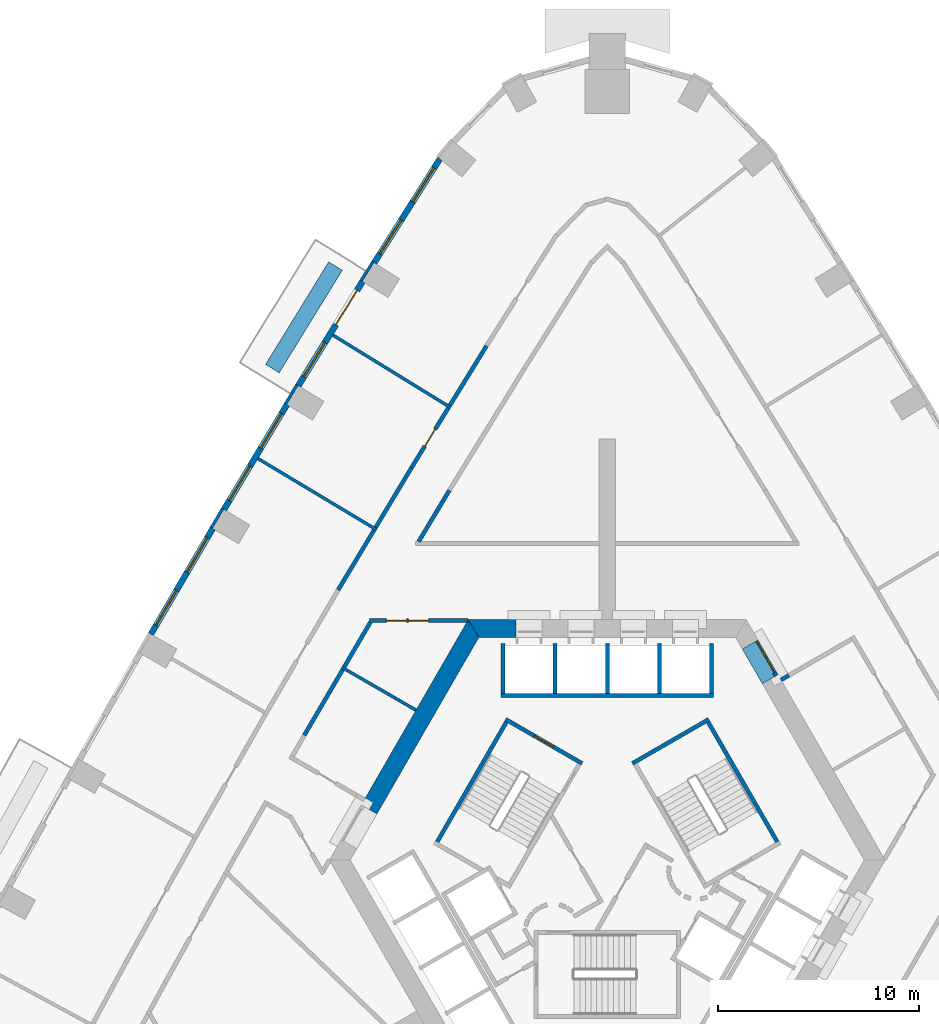
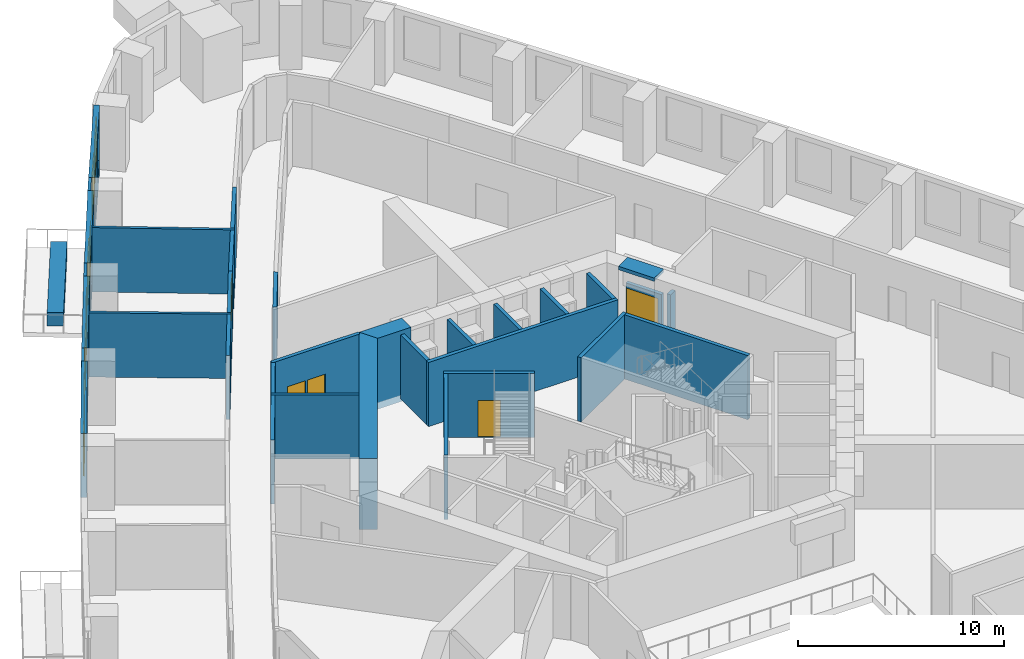
# One storey, part 9 of 15: 34 walls, 7 windows, 6 doors, 13 openings.
"""IFC4 building model written with IfcOpenShell, lengths in metres."""

from ifc_helpers import new_model, si_unit, direction, frame, frame_2d, origin, place, context, subcontext, project, spatial, polyline, rectangle, outline, extrude, material, layer, layer_set, type_object, element, fill, save


model = new_model("IFC4")

# Units and contexts
model_context = context("Model", 3, precision=1e-05, world=origin(), true_north=direction((0.0, 1.0)))
body_context = subcontext(model_context, "Body", "Model", "MODEL_VIEW")
ifc_project = project(units=[si_unit("LENGTHUNIT", "METRE"), si_unit("AREAUNIT", "SQUARE_METRE"), si_unit("VOLUMEUNIT", "CUBIC_METRE"), si_unit("PLANEANGLEUNIT", "RADIAN"), si_unit("MASSUNIT", "GRAM", prefix="KILO")], contexts=[model_context])

# Site, building, storey
site_placement = place(None, origin())
site = spatial("IfcSite", under=ifc_project, at=site_placement, CompositionType="ELEMENT")
building_placement = place(site_placement, origin())
building = spatial("IfcBuilding", under=site, at=building_placement, Name="Entoto Arch Interchange Tower", CompositionType="ELEMENT")
storey_placement = place(building_placement, frame((0.0, 0.0, 107.60009765625)))
storey = spatial("IfcBuildingStorey", under=building, at=storey_placement, Name="L23", CompositionType="ELEMENT", Elevation=107.60009765625)

# Wall, opening, door
ifc_material_1 = material(Name="Reinforced concrete C40/50", Category="concrete")
ifc_layer_1 = layer(ifc_material_1, 0.199951171875)
ifc_layer_set_1 = layer_set([ifc_layer_1], Name="Reinforced concrete C40/50")
wall_type_1 = type_object("IfcWallType", Name="CORE GAP INFILL WALL", PredefinedType="PARTITIONING", material=ifc_layer_set_1)
wall_1_placement = place(storey_placement, frame((8.429931640625, 11.697998046875, 0.0), z_axis=(0.0, 0.0, 1.0), x_axis=(-0.50002537861, 0.866010750942, 0.0)))
wall_1 = element("IfcWall", 1, at=wall_1_placement, inside=storey, type_object=wall_type_1, Name="wall:L23:gap2", PredefinedType="PARTITIONING", context=body_context, shape_type="SweptSolid", body=[
    extrude(rectangle(XDim=2.0, YDim=0.199951171875, at=frame_2d((1.0, 0.0))), origin(), (0.0, 0.0, 1.0), 2.39990234375),
])
opening_1_placement = place(wall_1_placement, frame((0.18994140625, 0.0, 0.0)))
opening_1 = element("IfcOpeningElement", 2, at=opening_1_placement, cuts=wall_1, Name="Opening L23-D92", PredefinedType="OPENING", context=body_context, shape_type="SweptSolid", body=[
    extrude(rectangle(XDim=1.800048828125, YDim=2.10009765625, at=frame_2d((0.89990234375, 1.050048828125))), frame((0.0, 0.10986328125, 0.0), z_axis=(0.0, -1.0, 0.0), x_axis=(1.0, 0.0, 0.0)), (0.0, 0.0, 1.0), 0.219970703125),
])
ifc_material_2 = material(Name="Fire-rated Steel S235 door and frame", Category="steel")
door_type_1 = type_object("IfcDoorType", Name="DOOR FD-18 1800x2100", OperationType="DOUBLE_DOOR_SINGLE_SWING", PredefinedType="DOOR", material=ifc_material_2)
door_1_placement = place(opening_1_placement, origin())
door_1 = element("IfcDoor", 3, at=door_1_placement, inside=storey, type_object=door_type_1, Name="door:L23:gap2", OperationType="DOUBLE_DOOR_SINGLE_SWING", OverallHeight=2.10009765625, OverallWidth=1.800048828125, PredefinedType="DOOR", context=body_context, shape_type="SweptSolid", body=[
    extrude(rectangle(XDim=1.800048828125, YDim=2.10009765625, at=frame_2d((0.89990234375, 1.050048828125))), frame((0.0, 0.02490234375, 0.0), z_axis=(0.0, -1.0, 0.0), x_axis=(1.0, 0.0, 0.0)), (0.0, 0.0, 1.0), 0.050048828125),
])
fill(opening_1, door_1)

# Walls
ifc_material_3 = material(Name="Concrete C60/75", Category="concrete")
ifc_layer_2 = layer(ifc_material_3, 0.89990234375)
ifc_layer_set_2 = layer_set([ifc_layer_2], Name="Concrete C60/75")
wall_type_2 = type_object("IfcWallType", Name="Core wall 900 C60/75", PredefinedType="SHEAR", material=ifc_layer_set_2)
wall_2_placement = place(storey_placement, frame((0.0, 0.0, 3.599853515625)))
element("IfcWall", 4, at=wall_2_placement, inside=storey, type_object=wall_type_2, Name="Core wall lintel NE L23", PredefinedType="SHEAR", context=body_context, shape_type="SweptSolid", body=[
    extrude(outline(polyline([(7.51708984375, 13.47998046875), (6.738037109375, 13.030029296875), (7.738037109375, 11.298095703125), (8.51708984375, 11.748046875), (7.51708984375, 13.47998046875)])), origin(), (0.0, 0.0, 1.0), 0.199951171875),
])
wall_3_placement = place(storey_placement, frame((0.0, 0.0, -0.400146484375)))
element("IfcWall", 5, at=wall_3_placement, inside=storey, type_object=wall_type_2, Name="Core wall N L23", PredefinedType="SHEAR", context=body_context, shape_type="SweptSolid", body=[
    extrude(outline(polyline([(-4.550048828125, 13.60009765625), (-4.550048828125, 14.5), (-6.927978515625, 14.5), (-6.408935546875, 13.60009765625), (-4.550048828125, 13.60009765625)])), origin(), (0.0, 0.0, 1.0), 4.199951171875),
])
wall_4_placement = place(storey_placement, frame((0.0, 0.0, -0.400146484375)))
element("IfcWall", 6, at=wall_4_placement, inside=storey, type_object=wall_type_2, Name="Core wall NW L23", PredefinedType="SHEAR", context=body_context, shape_type="SweptSolid", body=[
    extrude(outline(polyline([(-12.26708984375, 5.251953125), (-11.488037109375, 4.802001953125), (-6.408935546875, 13.60009765625), (-6.927978515625, 14.5), (-12.26708984375, 5.251953125)])), origin(), (0.0, 0.0, 1.0), 4.199951171875),
])
ifc_material_4 = material(Name="Concrete C40/50", Category="concrete")
ifc_layer_3 = layer(ifc_material_4, 0.199951171875)
ifc_layer_set_3 = layer_set([ifc_layer_3], Name="Concrete C40/50")
wall_type_3 = type_object("IfcWallType", Name="LIFT SHAFT WALL 200", PredefinedType="STANDARD", material=ifc_layer_set_3)
wall_5_placement = place(storey_placement, frame((5.300048828125, 10.699951171875, 0.0), z_axis=(0.0, 0.0, 1.0), x_axis=(-1.0, 0.0, 0.0)))
element("IfcWall", 7, at=wall_5_placement, inside=storey, type_object=wall_type_3, Name="Shaft wall N3 front", PredefinedType="STANDARD", context=body_context, shape_type="SweptSolid", body=[
    extrude(rectangle(XDim=10.60009765625, YDim=0.199951171875, at=frame_2d((5.300048828125, 0.0))), origin(), (0.0, 0.0, 1.0), 3.7998046875),
])
for number, where, z_axis, x_axis, name in (
    (8, (5.199951171875, 10.800048828125, 0.0), (0.0, 0.0, 1.0), (0.0, 1.0, 0.0), "Shaft wall N3 cross 1"),
    (9, (2.60009765625, 10.800048828125, 0.0), (0.0, 0.0, 1.0), (0.0, 1.0, 0.0), "Shaft wall N3 cross 2"),
    (10, (0.0, 10.800048828125, 0.0), (0.0, 0.0, 1.0), (0.0, 1.0, 0.0), "Shaft wall N3 cross 3"),
    (11, (-2.60009765625, 10.800048828125, 0.0), (0.0, 0.0, 1.0), (0.0, 1.0, 0.0), "Shaft wall N3 cross 4"),
    (12, (-5.199951171875, 10.800048828125, 0.0), (0.0, 0.0, 1.0), (0.0, 1.0, 0.0), "Shaft wall N3 cross 5"),
):
    element("IfcWall", number, at=place(storey_placement, frame(where, z_axis=z_axis, x_axis=x_axis)), inside=storey, type_object=wall_type_3, Name=name, PredefinedType="STANDARD", context=body_context, shape_type="SweptSolid", body=[
        extrude(rectangle(XDim=2.5, YDim=0.199951171875, at=frame_2d((1.25, 0.0))), origin(), (0.0, 0.0, 1.0), 3.7998046875),
    ])
ifc_material_5 = material(Name="Gypsum board partition on steel studs", Category="steel")
ifc_layer_4 = layer(ifc_material_5, 0.14990234375)
ifc_layer_set_4 = layer_set([ifc_layer_4], Name="Gypsum board partition on steel studs")
wall_type_4 = type_object("IfcWallType", Name="PARTITION 150", PredefinedType="PARTITIONING", material=ifc_layer_set_4)
wall_6_placement = place(storey_placement, frame((-9.537109375, 9.98095703125, 0.0), z_axis=(0.0, 0.0, 1.0), x_axis=(-0.866007866579, 0.5000303741, 0.0)))
element("IfcWall", 13, at=wall_6_placement, inside=storey, type_object=wall_type_4, Name="wall:L23:p095", PredefinedType="PARTITIONING", context=body_context, shape_type="SweptSolid", body=[
    extrude(rectangle(XDim=4.278076171875, YDim=0.14990234375, at=frame_2d((2.13916015625, 0.0))), origin(), (0.0, 0.0, 1.0), 3.7998046875),
])
wall_7_placement = place(storey_placement, frame((-7.802001953125, 25.06396484375, 0.0), z_axis=(0.0, 0.0, 1.0), x_axis=(-0.851596352662, 0.524198103901, 0.0)))
element("IfcWall", 14, at=wall_7_placement, inside=storey, type_object=wall_type_4, Name="wall:L23:p146", PredefinedType="PARTITIONING", context=body_context, shape_type="SweptSolid", body=[
    extrude(rectangle(XDim=6.89990234375, YDim=0.14990234375, at=frame_2d((3.449951171875, 0.0))), origin(), (0.0, 0.0, 1.0), 3.7998046875),
])
wall_8_placement = place(storey_placement, frame((-11.501953125, 18.97705078125, 0.0), z_axis=(0.0, 0.0, 1.0), x_axis=(-0.857464824073, 0.514542588595, 0.0)))
element("IfcWall", 15, at=wall_8_placement, inside=storey, type_object=wall_type_4, Name="wall:L23:p147", PredefinedType="PARTITIONING", context=body_context, shape_type="SweptSolid", body=[
    extrude(rectangle(XDim=6.8994140625, YDim=0.14990234375, at=frame_2d((3.44970703125, 0.0))), origin(), (0.0, 0.0, 1.0), 3.7998046875),
])
ifc_layer_5 = layer(ifc_material_5, 0.199951171875)
ifc_layer_set_5 = layer_set([ifc_layer_5], Name="Gypsum board partition on steel studs")
wall_type_5 = type_object("IfcWallType", Name="PARTITION 200", PredefinedType="PARTITIONING", material=ifc_layer_set_5)
wall_9_placement = place(storey_placement, frame((-11.81396484375, 14.364013671875, 0.0), z_axis=(0.0, 0.0, 1.0), x_axis=(-0.504658640018, -0.863318977583, 0.0)))
element("IfcWall", 16, at=wall_9_placement, inside=storey, type_object=wall_type_5, Name="wall:L23:p001", PredefinedType="PARTITIONING", context=body_context, shape_type="SweptSolid", body=[
    extrude(rectangle(XDim=2.581787109375, YDim=0.199951171875, at=frame_2d((1.291015625, 0.0))), origin(), (0.0, 0.0, 1.0), 3.7998046875),
])
wall_10_placement = place(storey_placement, frame((-13.193115234375, 12.0048828125, 0.0), z_axis=(0.0, 0.0, 1.0), x_axis=(-0.50499711829, -0.863121028894, 0.0)))
element("IfcWall", 17, at=wall_10_placement, inside=storey, type_object=wall_type_5, Name="wall:L23:p002", PredefinedType="PARTITIONING", context=body_context, shape_type="SweptSolid", body=[
    extrude(rectangle(XDim=3.7998046875, YDim=0.199951171875, at=frame_2d((1.89990234375, 0.0))), origin(), (0.0, 0.0, 1.0), 3.7998046875),
])
wall_11_placement = place(storey_placement, frame((-7.875, 20.93994140625, 0.0), z_axis=(0.0, 0.0, 1.0), x_axis=(-0.514399309837, -0.857550785691, 0.0)))
element("IfcWall", 18, at=wall_11_placement, inside=storey, type_object=wall_type_5, Name="wall:L23:p016", PredefinedType="PARTITIONING", context=body_context, shape_type="SweptSolid", body=[
    extrude(rectangle(XDim=2.978271484375, YDim=0.199951171875, at=frame_2d((1.4892578125, 0.0))), origin(), (0.0, 0.0, 1.0), 3.7998046875),
])
wall_12_placement = place(storey_placement, frame((-7.847900390625, 25.179931640625, 0.0), z_axis=(0.0, 0.0, 1.0), x_axis=(0.524062258075, 0.851679957297, 0.0)))
element("IfcWall", 19, at=wall_12_placement, inside=storey, type_object=wall_type_5, Name="wall:L23:p059", PredefinedType="PARTITIONING", context=body_context, shape_type="SweptSolid", body=[
    extrude(rectangle(XDim=3.486083984375, YDim=0.199951171875, at=frame_2d((1.7431640625, 0.0))), origin(), (0.0, 0.0, 1.0), 3.7998046875),
])
wall_13_placement = place(storey_placement, frame((-11.549072265625, 19.092041015625, 0.0), z_axis=(0.0, 0.0, 1.0), x_axis=(0.514536939864, 0.857468213705, 0.0)))
element("IfcWall", 20, at=wall_13_placement, inside=storey, type_object=wall_type_5, Name="wall:L23:p065", PredefinedType="PARTITIONING", context=body_context, shape_type="SweptSolid", body=[
    extrude(rectangle(XDim=3.487060546875, YDim=0.199951171875, at=frame_2d((1.74365234375, 0.0))), origin(), (0.0, 0.0, 1.0), 3.7998046875),
])

# Wall, opening, door
wall_14_placement = place(storey_placement, frame((-9.7548828125, 22.08203125, 0.0), z_axis=(0.0, 0.0, 1.0), x_axis=(0.524140390501, 0.851631875311, 0.0)))
wall_14 = element("IfcWall", 21, at=wall_14_placement, inside=storey, type_object=wall_type_5, Name="wall:L23:p066", PredefinedType="PARTITIONING", context=body_context, shape_type="SweptSolid", body=[
    extrude(rectangle(XDim=3.4873046875, YDim=0.199951171875, at=frame_2d((1.74365234375, 0.0))), origin(), (0.0, 0.0, 1.0), 3.7998046875),
])
opening_2_placement = place(wall_14_placement, frame((1.243896484375, 0.0, 0.0)))
opening_2 = element("IfcOpeningElement", 22, at=opening_2_placement, cuts=wall_14, Name="Opening L23-D11", PredefinedType="OPENING", context=body_context, shape_type="SweptSolid", body=[
    extrude(rectangle(XDim=1.0, YDim=2.10009765625, at=frame_2d((0.5, 1.050048828125))), frame((0.0, 0.10986328125, 0.0), z_axis=(0.0, -1.0, 0.0), x_axis=(1.0, 0.0, 0.0)), (0.0, 0.0, 1.0), 0.219970703125),
])
ifc_material_6 = material(Name="Timber door leaf in Steel S235 frame", Category="steel")
door_type_2 = type_object("IfcDoorType", Name="DOOR DS-10 1000x2100", OperationType="SINGLE_SWING_LEFT", PredefinedType="DOOR", material=ifc_material_6)
door_2_placement = place(opening_2_placement, origin())
door_2 = element("IfcDoor", 23, at=door_2_placement, inside=storey, type_object=door_type_2, Name="door:L23:11", OperationType="SINGLE_SWING_LEFT", OverallHeight=2.10009765625, OverallWidth=1.0, PredefinedType="DOOR", context=body_context, shape_type="SweptSolid", body=[
    extrude(rectangle(XDim=1.0, YDim=2.10009765625, at=frame_2d((0.5, 1.050048828125))), frame((0.0, 0.02490234375, 0.0), z_axis=(0.0, -1.0, 0.0), x_axis=(1.0, 0.0, 0.0)), (0.0, 0.0, 1.0), 0.050048828125),
])
fill(opening_2, door_2)

# Wall
wall_15_placement = place(storey_placement, frame((-13.4208984375, 15.97412109375, 0.0), z_axis=(0.0, 0.0, 1.0), x_axis=(0.514691349792, 0.857375538751, 0.0)))
element("IfcWall", 24, at=wall_15_placement, inside=storey, type_object=wall_type_5, Name="wall:L23:p068", PredefinedType="PARTITIONING", context=body_context, shape_type="SweptSolid", body=[
    extrude(rectangle(XDim=3.4873046875, YDim=0.199951171875, at=frame_2d((1.74365234375, 0.0))), origin(), (0.0, 0.0, 1.0), 3.7998046875),
])

# Wall, openings, doors
wall_16_placement = place(storey_placement, frame((-6.95703125, 14.449951171875, 0.0), z_axis=(0.0, 0.0, 1.0), x_axis=(-1.0, 0.0, 0.0)))
wall_16 = element("IfcWall", 25, at=wall_16_placement, inside=storey, type_object=wall_type_5, Name="wall:L23:p096", PredefinedType="PARTITIONING", context=body_context, shape_type="SweptSolid", body=[
    extrude(rectangle(XDim=4.906005859375, YDim=0.199951171875, at=frame_2d((2.453125, 0.0))), origin(), (0.0, 0.0, 1.0), 3.7998046875),
])
opening_3_placement = place(wall_16_placement, frame((1.952880859375, 0.0, 0.0)))
opening_3 = element("IfcOpeningElement", 26, at=opening_3_placement, cuts=wall_16, Name="Opening L23-D32", PredefinedType="OPENING", context=body_context, shape_type="SweptSolid", body=[
    extrude(rectangle(XDim=1.0, YDim=2.10009765625, at=frame_2d((0.5, 1.050048828125))), frame((0.0, 0.10986328125, 0.0), z_axis=(0.0, -1.0, 0.0), x_axis=(1.0, 0.0, 0.0)), (0.0, 0.0, 1.0), 0.219970703125),
])
opening_4_placement = place(wall_16_placement, frame((3.052978515625, 0.0, 0.0)))
opening_4 = element("IfcOpeningElement", 27, at=opening_4_placement, cuts=wall_16, Name="Opening L23-D40", PredefinedType="OPENING", context=body_context, shape_type="SweptSolid", body=[
    extrude(rectangle(XDim=1.0, YDim=2.10009765625, at=frame_2d((0.5, 1.050048828125))), frame((0.0, 0.10986328125, 0.0), z_axis=(0.0, -1.0, 0.0), x_axis=(1.0, 0.0, 0.0)), (0.0, 0.0, 1.0), 0.219970703125),
])
door_3_placement = place(opening_3_placement, origin())
door_3 = element("IfcDoor", 28, at=door_3_placement, inside=storey, type_object=door_type_2, Name="door:L23:32", OperationType="SINGLE_SWING_LEFT", OverallHeight=2.10009765625, OverallWidth=1.0, PredefinedType="DOOR", context=body_context, shape_type="SweptSolid", body=[
    extrude(rectangle(XDim=1.0, YDim=2.10009765625, at=frame_2d((0.5, 1.050048828125))), frame((0.0, 0.02490234375, 0.0), z_axis=(0.0, -1.0, 0.0), x_axis=(1.0, 0.0, 0.0)), (0.0, 0.0, 1.0), 0.050048828125),
])
fill(opening_3, door_3)
door_4_placement = place(opening_4_placement, origin())
door_4 = element("IfcDoor", 29, at=door_4_placement, inside=storey, type_object=door_type_2, Name="door:L23:40", OperationType="SINGLE_SWING_RIGHT", OverallHeight=2.10009765625, OverallWidth=1.0, PredefinedType="DOOR", context=body_context, shape_type="SweptSolid", body=[
    extrude(rectangle(XDim=1.0, YDim=2.10009765625, at=frame_2d((0.5, 1.050048828125))), frame((0.0, 0.02490234375, 0.0), z_axis=(0.0, -1.0, 0.0), x_axis=(1.0, 0.0, 0.0)), (0.0, 0.0, 1.0), 0.050048828125),
])
fill(opening_4, door_4)

# Walls
wall_17_placement = place(storey_placement, frame((9.056884765625, 11.712890625, 0.0), z_axis=(0.0, 0.0, 1.0), x_axis=(-0.866266849364, -0.49958157061, 0.0)))
element("IfcWall", 30, at=wall_17_placement, inside=storey, type_object=wall_type_5, Name="wall:L23:p008", PredefinedType="PARTITIONING", context=body_context, shape_type="SweptSolid", body=[
    extrude(rectangle(XDim=0.4501953125, YDim=0.199951171875, at=frame_2d((0.22509765625, 0.0))), origin(), (0.0, 0.0, 1.0), 2.39990234375),
])
ifc_material_7 = material(Name="Board-marked precast concrete C50/60", Category="concrete")
ifc_layer_6 = layer(ifc_material_7, 0.800048828125)
ifc_layer_set_6 = layer_set([ifc_layer_6], Name="Board-marked precast concrete C50/60")
wall_type_6 = type_object("IfcWallType", Name="PLANTER RC 800 Hagenia abyssinica", PredefinedType="STANDARD", material=ifc_layer_set_6)
wall_18_placement = place(storey_placement, frame((-13.552978515625, 32.1279296875, 0.0), z_axis=(0.0, 0.0, 1.0), x_axis=(-0.524156413099, -0.851622013928, 0.0)))
element("IfcWall", 31, at=wall_18_placement, inside=storey, type_object=wall_type_6, Name="Planter NW-02 L23", PredefinedType="STANDARD", context=body_context, shape_type="SweptSolid", body=[
    extrude(rectangle(XDim=6.00390625, YDim=0.800048828125, at=frame_2d((3.001953125, 0.0))), origin(), (0.0, 0.0, 1.0), 0.7998046875),
])
ifc_layer_7 = layer(ifc_material_4, 0.199951171875)
ifc_layer_set_7 = layer_set([ifc_layer_7], Name="Concrete C40/50")
wall_type_7 = type_object("IfcWallType", Name="STAIR ENCLOSURE WALL 200", PredefinedType="STANDARD", material=ifc_layer_set_7)
wall_19_placement = place(storey_placement, frame((1.256103515625, 7.323974609375, 0.0), z_axis=(0.0, 0.0, 1.0), x_axis=(0.866046073146, 0.499964197906, 0.0)))
element("IfcWall", 32, at=wall_19_placement, inside=storey, type_object=wall_type_7, Name="Stair wall ST-NE far", PredefinedType="STANDARD", context=body_context, shape_type="SweptSolid", body=[
    extrude(rectangle(XDim=4.400146484375, YDim=0.199951171875, at=frame_2d((2.2001953125, 0.0))), origin(), (0.0, 0.0, 1.0), 3.7998046875),
])
wall_20_placement = place(storey_placement, frame((8.47998046875, 3.412109375, 0.0), z_axis=(0.0, 0.0, 1.0), x_axis=(-0.499978703459, 0.866037698999, 0.0)))
element("IfcWall", 33, at=wall_20_placement, inside=storey, type_object=wall_type_7, Name="Stair wall ST-NE back", PredefinedType="STANDARD", context=body_context, shape_type="SweptSolid", body=[
    extrude(rectangle(XDim=6.900146484375, YDim=0.199951171875, at=frame_2d((3.4501953125, 0.0))), origin(), (0.0, 0.0, 1.0), 3.7998046875),
])

# Wall, opening, door
wall_21_placement = place(storey_placement, frame((-1.256103515625, 7.323974609375, 0.0), z_axis=(0.0, 0.0, 1.0), x_axis=(-0.866046073146, 0.499964197906, 0.0)))
wall_21 = element("IfcWall", 34, at=wall_21_placement, inside=storey, type_object=wall_type_7, Name="Stair wall ST-NW near", PredefinedType="STANDARD", context=body_context, shape_type="SweptSolid", body=[
    extrude(rectangle(XDim=4.400146484375, YDim=0.199951171875, at=frame_2d((2.2001953125, 0.0))), origin(), (0.0, 0.0, 1.0), 3.7998046875),
])
opening_5_placement = place(wall_21_placement, frame((1.64990234375, 0.0, 0.0)))
opening_5 = element("IfcOpeningElement", 35, at=opening_5_placement, cuts=wall_21, Name="Opening SD-ST-NW-L23-E", PredefinedType="OPENING", context=body_context, shape_type="SweptSolid", body=[
    extrude(rectangle(XDim=1.10009765625, YDim=2.199951171875, at=frame_2d((0.550048828125, 1.10009765625))), frame((0.0, 0.10986328125, 0.0), z_axis=(0.0, -1.0, 0.0), x_axis=(1.0, 0.0, 0.0)), (0.0, 0.0, 1.0), 0.219970703125),
])
ifc_material_8 = material(Name="Steel S235", Category="steel")
door_type_3 = type_object("IfcDoorType", Name="STAIR DOOR SD1 1100x2200", OperationType="SINGLE_SWING_LEFT", PredefinedType="DOOR", material=ifc_material_8)
door_5_placement = place(opening_5_placement, origin())
door_5 = element("IfcDoor", 36, at=door_5_placement, inside=storey, type_object=door_type_3, Name="Stair door ST-NW L23 end", OperationType="SINGLE_SWING_LEFT", OverallHeight=2.199951171875, OverallWidth=1.10009765625, PredefinedType="DOOR", context=body_context, shape_type="SweptSolid", body=[
    extrude(rectangle(XDim=1.10009765625, YDim=2.199951171875, at=frame_2d((0.550048828125, 1.10009765625))), frame((0.0, 0.02490234375, 0.0), z_axis=(0.0, -1.0, 0.0), x_axis=(1.0, 0.0, 0.0)), (0.0, 0.0, 1.0), 0.050048828125),
])
fill(opening_5, door_5)

# Wall
wall_22_placement = place(storey_placement, frame((-5.030029296875, 9.387939453125, 0.0), z_axis=(0.0, 0.0, 1.0), x_axis=(-0.499978703459, -0.866037698999, 0.0)))
element("IfcWall", 37, at=wall_22_placement, inside=storey, type_object=wall_type_7, Name="Stair wall ST-NW back", PredefinedType="STANDARD", context=body_context, shape_type="SweptSolid", body=[
    extrude(rectangle(XDim=6.900146484375, YDim=0.199951171875, at=frame_2d((3.4501953125, 0.0))), origin(), (0.0, 0.0, 1.0), 3.7998046875),
])

# Wall, openings, windows
ifc_material_9 = material(Name="Welded tuff (ignimbrite) cladding, warm buff", Category="masonry")
ifc_layer_8 = layer(ifc_material_9, 0.300048828125)
ifc_layer_set_8 = layer_set([ifc_layer_8], Name="Welded tuff (ignimbrite) cladding, warm buff")
wall_type_8 = type_object("IfcWallType", Name="STONE INFILL WALL 300", PredefinedType="STANDARD", material=ifc_layer_set_8)
wall_23_placement = place(storey_placement, frame((-8.347900390625, 37.47998046875, 0.0), z_axis=(0.0, 0.0, 1.0), x_axis=(-0.534018429465, -0.845472836342, 0.0)))
wall_23 = element("IfcWall", 38, at=wall_23_placement, inside=storey, type_object=wall_type_8, Name="Facade wall NW-01 L23", PredefinedType="STANDARD", context=body_context, shape_type="SweptSolid", body=[
    extrude(rectangle(XDim=6.138427734375, YDim=0.300048828125, at=frame_2d((3.0693359375, 0.0))), origin(), (0.0, 0.0, 1.0), 3.7998046875),
])
opening_6_placement = place(wall_23_placement, frame((0.534912109375, 0.0, 0.89990234375)))
opening_6 = element("IfcOpeningElement", 39, at=opening_6_placement, cuts=wall_23, Name="Opening WO-C", PredefinedType="OPENING", context=body_context, shape_type="SweptSolid", body=[
    extrude(rectangle(XDim=2.0, YDim=2.60009765625, at=frame_2d((1.0, 1.300048828125))), frame((0.0, 0.16015625, 0.0), z_axis=(0.0, -1.0, 0.0), x_axis=(1.0, 0.0, 0.0)), (0.0, 0.0, 1.0), 0.320068359375),
])
opening_7_placement = place(wall_23_placement, frame((3.60400390625, 0.0, 0.89990234375)))
opening_7 = element("IfcOpeningElement", 40, at=opening_7_placement, cuts=wall_23, Name="Opening WO-C", PredefinedType="OPENING", context=body_context, shape_type="SweptSolid", body=[
    extrude(rectangle(XDim=2.0, YDim=2.60009765625, at=frame_2d((1.0, 1.300048828125))), frame((0.0, 0.16015625, 0.0), z_axis=(0.0, -1.0, 0.0), x_axis=(1.0, 0.0, 0.0)), (0.0, 0.0, 1.0), 0.320068359375),
])
ifc_material_10 = material(Name="Clear glass, low-e double glazed", Category="glass")
window_type = type_object("IfcWindowType", Name="WINDOW WO-C 2000x2600", PartitioningType="DOUBLE_PANEL_VERTICAL", PredefinedType="WINDOW", material=ifc_material_10)
window_1_placement = place(opening_6_placement, origin())
window_1 = element("IfcWindow", 41, at=window_1_placement, inside=storey, type_object=window_type, Name="Window WO-C NW-01 L23", OverallHeight=2.60009765625, OverallWidth=2.0, PartitioningType="SINGLE_PANEL", PredefinedType="WINDOW", context=body_context, shape_type="SweptSolid", body=[
    extrude(rectangle(XDim=2.0, YDim=2.60009765625, at=frame_2d((1.0, 1.300048828125))), frame((0.0, 0.030029296875, 0.0), z_axis=(0.0, -1.0, 0.0), x_axis=(1.0, 0.0, 0.0)), (0.0, 0.0, 1.0), 0.06005859375),
])
fill(opening_6, window_1)
window_2_placement = place(opening_7_placement, origin())
window_2 = element("IfcWindow", 42, at=window_2_placement, inside=storey, type_object=window_type, Name="Window WO-C NW-01 L23", OverallHeight=2.60009765625, OverallWidth=2.0, PartitioningType="SINGLE_PANEL", PredefinedType="WINDOW", context=body_context, shape_type="SweptSolid", body=[
    extrude(rectangle(XDim=2.0, YDim=2.60009765625, at=frame_2d((1.0, 1.300048828125))), frame((0.0, 0.030029296875, 0.0), z_axis=(0.0, -1.0, 0.0), x_axis=(1.0, 0.0, 0.0)), (0.0, 0.0, 1.0), 0.06005859375),
])
fill(opening_7, window_2)

# Wall, openings, door, window
wall_24_placement = place(storey_placement, frame((-12.20703125, 31.35791015625, 0.0), z_axis=(0.0, 0.0, 1.0), x_axis=(-0.524121974895, -0.851643208998, 0.0)))
wall_24 = element("IfcWall", 43, at=wall_24_placement, inside=storey, type_object=wall_type_8, Name="Facade wall NW-02 L23", PredefinedType="STANDARD", context=body_context, shape_type="SweptSolid", body=[
    extrude(rectangle(XDim=6.103515625, YDim=0.300048828125, at=frame_2d((3.0517578125, 0.0))), origin(), (0.0, 0.0, 1.0), 3.7998046875),
])
opening_8_placement = place(wall_24_placement, frame((0.52587890625, 0.0, 0.0)))
opening_8 = element("IfcOpeningElement", 44, at=opening_8_placement, cuts=wall_24, Name="Opening DB-NW-02-L23", PredefinedType="OPENING", context=body_context, shape_type="SweptSolid", body=[
    extrude(rectangle(XDim=2.0, YDim=2.39990234375, at=frame_2d((1.0, 1.199951171875))), frame((0.0, 0.16015625, 0.0), z_axis=(0.0, -1.0, 0.0), x_axis=(1.0, 0.0, 0.0)), (0.0, 0.0, 1.0), 0.320068359375),
])
opening_9_placement = place(wall_24_placement, frame((3.577880859375, 0.0, 0.89990234375)))
opening_9 = element("IfcOpeningElement", 45, at=opening_9_placement, cuts=wall_24, Name="Opening WO-C", PredefinedType="OPENING", context=body_context, shape_type="SweptSolid", body=[
    extrude(rectangle(XDim=2.0, YDim=2.60009765625, at=frame_2d((1.0, 1.300048828125))), frame((0.0, 0.16015625, 0.0), z_axis=(0.0, -1.0, 0.0), x_axis=(1.0, 0.0, 0.0)), (0.0, 0.0, 1.0), 0.320068359375),
])
ifc_material_11 = material(Name="Aluminium and clear glass, anodised", Category="aluminium")
door_type_4 = type_object("IfcDoorType", Name="BALCONY DOOR DB 2000x2400", OperationType="SLIDING_TO_LEFT", PredefinedType="DOOR", material=ifc_material_11)
door_6_placement = place(opening_8_placement, origin())
door_6 = element("IfcDoor", 46, at=door_6_placement, inside=storey, type_object=door_type_4, Name="Balcony door NW-02 L23", OperationType="SLIDING_TO_LEFT", OverallHeight=2.39990234375, OverallWidth=2.0, PredefinedType="DOOR", context=body_context, shape_type="SweptSolid", body=[
    extrude(rectangle(XDim=2.0, YDim=2.39990234375, at=frame_2d((1.0, 1.199951171875))), frame((0.0, 0.02490234375, 0.0), z_axis=(0.0, -1.0, 0.0), x_axis=(1.0, 0.0, 0.0)), (0.0, 0.0, 1.0), 0.050048828125),
])
fill(opening_8, door_6)
window_3_placement = place(opening_9_placement, origin())
window_3 = element("IfcWindow", 47, at=window_3_placement, inside=storey, type_object=window_type, Name="Window WO-C NW-02 L23", OverallHeight=2.60009765625, OverallWidth=2.0, PartitioningType="SINGLE_PANEL", PredefinedType="WINDOW", context=body_context, shape_type="SweptSolid", body=[
    extrude(rectangle(XDim=2.0, YDim=2.60009765625, at=frame_2d((1.0, 1.300048828125))), frame((0.0, 0.030029296875, 0.0), z_axis=(0.0, -1.0, 0.0), x_axis=(1.0, 0.0, 0.0)), (0.0, 0.0, 1.0), 0.06005859375),
])
fill(opening_9, window_3)

# Wall, openings, windows
wall_25_placement = place(storey_placement, frame((-15.97607421875, 25.220947265625, 0.0), z_axis=(0.0, 0.0, 1.0), x_axis=(-0.514560454873, -0.857454102726, 0.0)))
wall_25 = element("IfcWall", 48, at=wall_25_placement, inside=storey, type_object=wall_type_8, Name="Facade wall NW-03 L23", PredefinedType="STANDARD", context=body_context, shape_type="SweptSolid", body=[
    extrude(rectangle(XDim=6.10400390625, YDim=0.300048828125, at=frame_2d((3.052001953125, 0.0))), origin(), (0.0, 0.0, 1.0), 3.7998046875),
])
opening_10_placement = place(wall_25_placement, frame((0.52587890625, 0.0, 0.89990234375)))
opening_10 = element("IfcOpeningElement", 49, at=opening_10_placement, cuts=wall_25, Name="Opening WO-C", PredefinedType="OPENING", context=body_context, shape_type="SweptSolid", body=[
    extrude(rectangle(XDim=2.0, YDim=2.60009765625, at=frame_2d((1.0, 1.300048828125))), frame((0.0, 0.16015625, 0.0), z_axis=(0.0, -1.0, 0.0), x_axis=(1.0, 0.0, 0.0)), (0.0, 0.0, 1.0), 0.320068359375),
])
opening_11_placement = place(wall_25_placement, frame((3.577880859375, 0.0, 0.89990234375)))
opening_11 = element("IfcOpeningElement", 50, at=opening_11_placement, cuts=wall_25, Name="Opening WO-C", PredefinedType="OPENING", context=body_context, shape_type="SweptSolid", body=[
    extrude(rectangle(XDim=2.0, YDim=2.60009765625, at=frame_2d((1.0, 1.300048828125))), frame((0.0, 0.16015625, 0.0), z_axis=(0.0, -1.0, 0.0), x_axis=(1.0, 0.0, 0.0)), (0.0, 0.0, 1.0), 0.320068359375),
])
window_4_placement = place(opening_10_placement, origin())
window_4 = element("IfcWindow", 51, at=window_4_placement, inside=storey, type_object=window_type, Name="Window WO-C NW-03 L23", OverallHeight=2.60009765625, OverallWidth=2.0, PartitioningType="SINGLE_PANEL", PredefinedType="WINDOW", context=body_context, shape_type="SweptSolid", body=[
    extrude(rectangle(XDim=2.0, YDim=2.60009765625, at=frame_2d((1.0, 1.300048828125))), frame((0.0, 0.030029296875, 0.0), z_axis=(0.0, -1.0, 0.0), x_axis=(1.0, 0.0, 0.0)), (0.0, 0.0, 1.0), 0.06005859375),
])
fill(opening_10, window_4)
window_5_placement = place(opening_11_placement, origin())
window_5 = element("IfcWindow", 52, at=window_5_placement, inside=storey, type_object=window_type, Name="Window WO-C NW-03 L23", OverallHeight=2.60009765625, OverallWidth=2.0, PartitioningType="SINGLE_PANEL", PredefinedType="WINDOW", context=body_context, shape_type="SweptSolid", body=[
    extrude(rectangle(XDim=2.0, YDim=2.60009765625, at=frame_2d((1.0, 1.300048828125))), frame((0.0, 0.030029296875, 0.0), z_axis=(0.0, -1.0, 0.0), x_axis=(1.0, 0.0, 0.0)), (0.0, 0.0, 1.0), 0.06005859375),
])
fill(opening_11, window_5)

wall_26_placement = place(storey_placement, frame((-19.677001953125, 19.04296875, 0.0), z_axis=(0.0, 0.0, 1.0), x_axis=(-0.50490018297, -0.863177736759, 0.0)))
wall_26 = element("IfcWall", 53, at=wall_26_placement, inside=storey, type_object=wall_type_8, Name="Facade wall NW-04 L23", PredefinedType="STANDARD", context=body_context, shape_type="SweptSolid", body=[
    extrude(rectangle(XDim=6.104248046875, YDim=0.300048828125, at=frame_2d((3.05224609375, 0.0))), origin(), (0.0, 0.0, 1.0), 3.7998046875),
])
opening_12_placement = place(wall_26_placement, frame((0.52587890625, 0.0, 0.89990234375)))
opening_12 = element("IfcOpeningElement", 54, at=opening_12_placement, cuts=wall_26, Name="Opening WO-C", PredefinedType="OPENING", context=body_context, shape_type="SweptSolid", body=[
    extrude(rectangle(XDim=2.0, YDim=2.60009765625, at=frame_2d((1.0, 1.300048828125))), frame((0.0, 0.16015625, 0.0), z_axis=(0.0, -1.0, 0.0), x_axis=(1.0, 0.0, 0.0)), (0.0, 0.0, 1.0), 0.320068359375),
])
opening_13_placement = place(wall_26_placement, frame((3.577880859375, 0.0, 0.89990234375)))
opening_13 = element("IfcOpeningElement", 55, at=opening_13_placement, cuts=wall_26, Name="Opening WO-C", PredefinedType="OPENING", context=body_context, shape_type="SweptSolid", body=[
    extrude(rectangle(XDim=2.0, YDim=2.60009765625, at=frame_2d((1.0, 1.300048828125))), frame((0.0, 0.16015625, 0.0), z_axis=(0.0, -1.0, 0.0), x_axis=(1.0, 0.0, 0.0)), (0.0, 0.0, 1.0), 0.320068359375),
])
window_6_placement = place(opening_12_placement, origin())
window_6 = element("IfcWindow", 56, at=window_6_placement, inside=storey, type_object=window_type, Name="Window WO-C NW-04 L23", OverallHeight=2.60009765625, OverallWidth=2.0, PartitioningType="SINGLE_PANEL", PredefinedType="WINDOW", context=body_context, shape_type="SweptSolid", body=[
    extrude(rectangle(XDim=2.0, YDim=2.60009765625, at=frame_2d((1.0, 1.300048828125))), frame((0.0, 0.030029296875, 0.0), z_axis=(0.0, -1.0, 0.0), x_axis=(1.0, 0.0, 0.0)), (0.0, 0.0, 1.0), 0.06005859375),
])
fill(opening_12, window_6)
window_7_placement = place(opening_13_placement, origin())
window_7 = element("IfcWindow", 57, at=window_7_placement, inside=storey, type_object=window_type, Name="Window WO-C NW-04 L23", OverallHeight=2.60009765625, OverallWidth=2.0, PartitioningType="SINGLE_PANEL", PredefinedType="WINDOW", context=body_context, shape_type="SweptSolid", body=[
    extrude(rectangle(XDim=2.0, YDim=2.60009765625, at=frame_2d((1.0, 1.300048828125))), frame((0.0, 0.030029296875, 0.0), z_axis=(0.0, -1.0, 0.0), x_axis=(1.0, 0.0, 0.0)), (0.0, 0.0, 1.0), 0.06005859375),
])
fill(opening_13, window_7)

# Walls
ifc_layer_9 = layer(ifc_material_9, 0.14990234375)
ifc_layer_set_9 = layer_set([ifc_layer_9], Name="Welded tuff (ignimbrite) cladding, warm buff")
wall_type_9 = type_object("IfcWallType", Name="STONE PIER CLADDING 150", PredefinedType="STANDARD", material=ifc_layer_set_9)
for number, where, z_axis, x_axis, name in (
    (58, (-11.69091796875, 32.33203125, 0.0), (0.0, 0.0, 1.0), (-0.529879262372, -0.848073090782, 0.0), "Stone pier NW02 L23"),
    (59, (-15.471923828125, 26.200927734375, 0.0), (0.0, 0.0, 1.0), (-0.519869515594, -0.854245682901, 0.0), "Stone pier NW03 L23"),
):
    element("IfcWall", number, at=place(storey_placement, frame(where, z_axis=z_axis, x_axis=x_axis)), inside=storey, type_object=wall_type_9, Name=name, PredefinedType="STANDARD", context=body_context, shape_type="SweptSolid", body=[
        extrude(rectangle(XDim=1.100341796875, YDim=0.14990234375, at=frame_2d((0.55029296875, 0.0))), origin(), (0.0, 0.0, 1.0), 3.7998046875),
    ])
wall_27_placement = place(storey_placement, frame((-19.18408203125, 20.028076171875, 0.0), z_axis=(0.0, 0.0, 1.0), x_axis=(-0.510082245696, -0.860125631885, 0.0)))
element("IfcWall", 60, at=wall_27_placement, inside=storey, type_object=wall_type_9, Name="Stone pier NW04 L23", PredefinedType="STANDARD", context=body_context, shape_type="SweptSolid", body=[
    extrude(rectangle(XDim=1.099853515625, YDim=0.14990234375, at=frame_2d((0.5498046875, 0.0))), origin(), (0.0, 0.0, 1.0), 3.7998046875),
])

save(model, "model.ifc")
